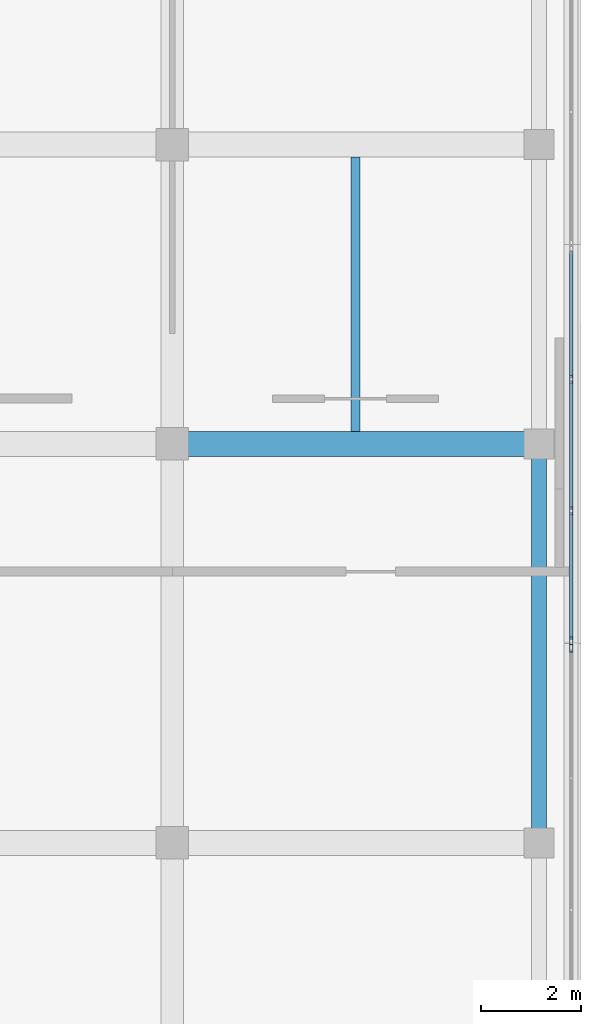
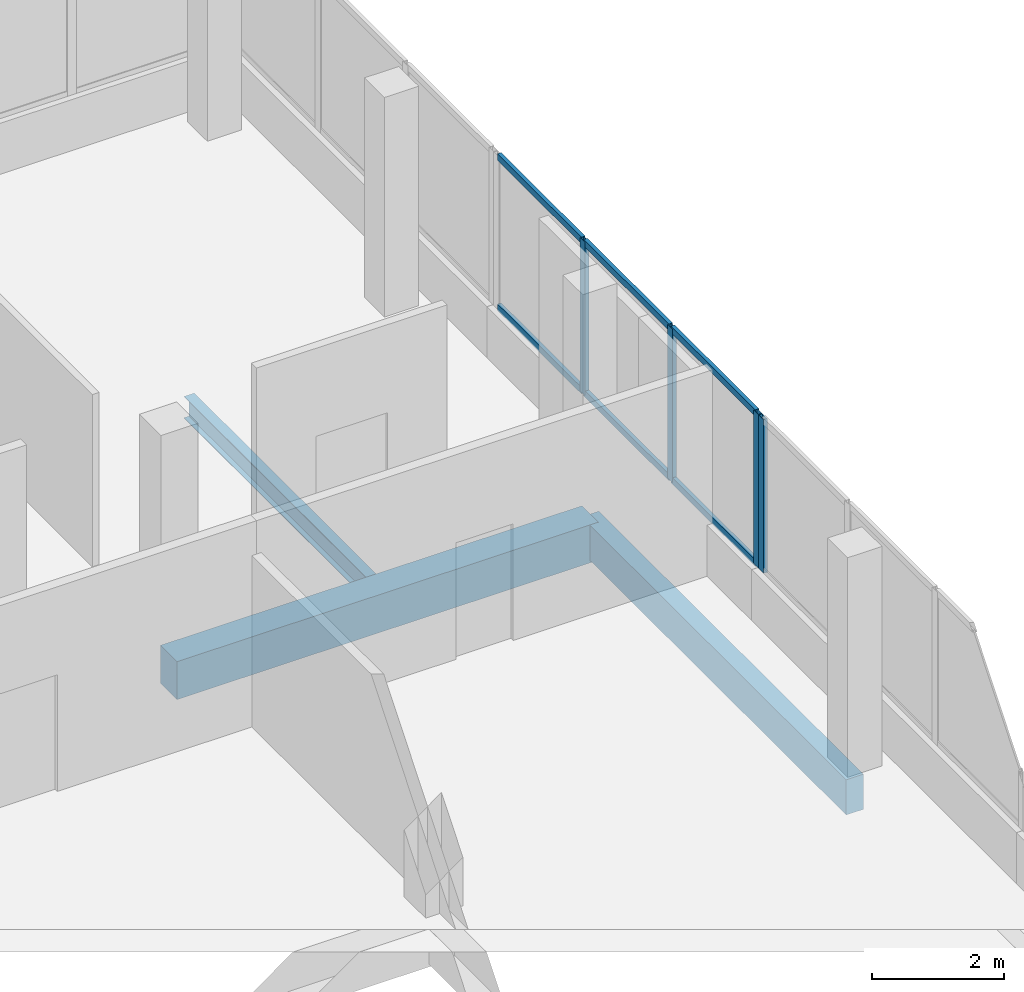
# One storey, part 57 of 78: 10 members, 3 beams, 2 elements without a shape of their own.
"""IFC4 building model written with IfcOpenShell, lengths in metres."""

from ifc_helpers import new_model, si_unit, direction, frame, origin, origin_2d, place, context, subcontext, project, spatial, rectangle, hollow_rectangle, i_section, extrude, material, material_profile, profile_set, type_object, element, aggregate, save


model = new_model("IFC4")

# Units and contexts
model_context = context("Model", 3, precision=1e-05, world=origin(), true_north=direction((0.0, 1.0)))
body_context = subcontext(model_context, "Body", "Model", "MODEL_VIEW")
ifc_project = project(units=[si_unit("LENGTHUNIT", "METRE"), si_unit("AREAUNIT", "SQUARE_METRE"), si_unit("VOLUMEUNIT", "CUBIC_METRE"), si_unit("PLANEANGLEUNIT", "RADIAN"), si_unit("MASSUNIT", "GRAM", prefix="KILO")], contexts=[model_context])

# Site, building, storey
site_placement = place(None, origin())
site = spatial("IfcSite", under=ifc_project, at=site_placement, CompositionType="ELEMENT")
building_placement = place(site_placement, origin())
building = spatial("IfcBuilding", under=site, at=building_placement, Name="Selatvlak General Hospital", CompositionType="ELEMENT")
storey_placement = place(building_placement, frame((0.0, 0.0, 23.25)))
storey = spatial("IfcBuildingStorey", under=building, at=storey_placement, Name="L05", CompositionType="ELEMENT", Elevation=23.25)

# Beams
ifc_material_1 = material(Name="Concrete C40/50", Category="concrete")
ifc_material_profile_1 = material_profile(ifc_material_1, rectangle(XDim=0.5, YDim=0.699951171875, at=origin_2d()), Name="RC-BM 500x700")
ifc_profile_set_1 = profile_set([ifc_material_profile_1], Name="Concrete C40/50")
beam_type_1 = type_object("IfcBeamType", Name="BM-G03", PredefinedType="BEAM", material=ifc_profile_set_1)
beam_1_placement = place(storey_placement, frame((174.0, 108.0, -0.6298828125), z_axis=(1.0, 0.0, 0.0), x_axis=(0.0, 1.0, 0.0)))
element("IfcBeam", 1, at=beam_1_placement, inside=storey, type_object=beam_type_1, Name="Beam BMR-L05-1959", PredefinedType="BEAM", context=body_context, shape_type="SweptSolid", body=[
    extrude(rectangle(XDim=0.5, YDim=0.699951171875, at=origin_2d()), origin(), (0.0, 0.0, 1.0), 7.35009765625),
])
ifc_material_2 = material(Name="Steel S355", Category="steel")
ifc_material_profile_2 = material_profile(ifc_material_2, i_section(OverallWidth=0.177978515625, OverallDepth=0.406494140625, WebThickness=0.0078125, FlangeThickness=0.0126953125, at=origin_2d()), Name="UB 406x178x60")
ifc_profile_set_2 = profile_set([ifc_material_profile_2], Name="Steel S355")
beam_type_2 = type_object("IfcBeamType", Name="BM-J04", PredefinedType="JOIST", material=ifc_profile_set_2)
beam_2_placement = place(storey_placement, frame((177.675048828125, 108.25, -0.48291015625), z_axis=(0.0, 1.0, 0.0), x_axis=(-1.0, 0.0, 0.0)))
element("IfcBeam", 2, at=beam_2_placement, inside=storey, type_object=beam_type_2, Name="Beam BMR-L05-2131", PredefinedType="JOIST", context=body_context, shape_type="SweptSolid", body=[
    extrude(i_section(OverallWidth=0.177978515625, OverallDepth=0.406494140625, WebThickness=0.0078125, FlangeThickness=0.0126953125, at=origin_2d()), origin(), (0.0, 0.0, 1.0), 5.5),
])
ifc_material_profile_3 = material_profile(ifc_material_1, rectangle(XDim=0.300048828125, YDim=0.64990234375, at=origin_2d()), Name="RC-SP 300x650")
ifc_profile_set_3 = profile_set([ifc_material_profile_3], Name="Concrete C40/50")
beam_type_3 = type_object("IfcBeamType", Name="BM-SP1", PredefinedType="SPANDREL", material=ifc_profile_set_3)
beam_3_placement = place(storey_placement, frame((181.35009765625, 100.0, -0.60498046875), z_axis=(0.0, 1.0, 0.0), x_axis=(-1.0, 0.0, 0.0)))
element("IfcBeam", 3, at=beam_3_placement, inside=storey, type_object=beam_type_3, Name="Beam BMR-L05-2112", PredefinedType="SPANDREL", context=body_context, shape_type="SweptSolid", body=[
    extrude(rectangle(XDim=0.300048828125, YDim=0.64990234375, at=origin_2d()), origin(), (0.0, 0.0, 1.0), 8.0),
])

# Curtain wall, members
ifc_material_3 = material(Name="Solar-control Low-E double glazing", Category="glass")
curtain_wall_type_1 = type_object("IfcCurtainWallType", Name="CW-CW-02", PredefinedType="USERDEFINED", material=ifc_material_3)
curtain_wall_1_placement = place(storey_placement, origin())
curtain_wall_1 = element("IfcCurtainWall", 4, at=curtain_wall_1_placement, inside=storey, type_object=curtain_wall_type_1, Name="Glazed facade curtain wall CW-L05-0567", ObjectType="UNITISED CURTAIN WALL", PredefinedType="USERDEFINED")
ifc_material_4 = material(Name="Dark anodised aluminium mullion", Category="aluminium")
ifc_material_profile_4 = material_profile(ifc_material_4, hollow_rectangle(XDim=0.06494140625, YDim=0.159912109375, WallThickness=0.00390625, at=origin_2d()), Name="AL-MUL 65x160x4")
ifc_profile_set_4 = profile_set([ifc_material_profile_4], Name="Dark anodised aluminium mullion")
member_type_1 = type_object("IfcMemberType", Name="CWM-01", PredefinedType="MULLION", material=ifc_profile_set_4)
member_1_placement = place(storey_placement, frame((181.999267578125, 109.29541015625, 0.93994140625), z_axis=(0.0, 0.0, 1.0), x_axis=(0.999999992027, 0.000126278568, 0.0)))
member_1 = element("IfcMember", 5, at=member_1_placement, type_object=member_type_1, Name="CW-02 mullion 2", PredefinedType="MULLION", context=body_context, shape_type="SweptSolid", body=[
    extrude(hollow_rectangle(XDim=0.06494140625, YDim=0.159912109375, WallThickness=0.00390625, at=origin_2d()), origin(), (0.0, 0.0, 1.0), 2.8349609375),
])
member_2_placement = place(storey_placement, frame((181.999755859375, 106.65576171875, 0.93994140625), z_axis=(0.0, 0.0, 1.0), x_axis=(0.999999992027, 0.000126278568, 0.0)))
member_2 = element("IfcMember", 6, at=member_2_placement, type_object=member_type_1, Name="CW-02 mullion 3", PredefinedType="MULLION", context=body_context, shape_type="SweptSolid", body=[
    extrude(hollow_rectangle(XDim=0.06494140625, YDim=0.159912109375, WallThickness=0.00390625, at=origin_2d()), origin(), (0.0, 0.0, 1.0), 2.8349609375),
])
member_3_placement = place(storey_placement, frame((182.0, 104.048583984375, 0.93994140625), z_axis=(0.0, 0.0, 1.0), x_axis=(0.999999992027, 0.000126278568, 0.0)))
member_3 = element("IfcMember", 7, at=member_3_placement, type_object=member_type_1, Name="CW-02 mullion 4", PredefinedType="MULLION", context=body_context, shape_type="SweptSolid", body=[
    extrude(hollow_rectangle(XDim=0.06494140625, YDim=0.159912109375, WallThickness=0.00390625, at=origin_2d()), origin(), (0.0, 0.0, 1.0), 2.8349609375),
])

# Curtain wall, member
curtain_wall_type_2 = type_object("IfcCurtainWallType", Name="CW-CW-01", PredefinedType="USERDEFINED", material=ifc_material_3)
curtain_wall_2_placement = place(storey_placement, origin())
curtain_wall_2 = element("IfcCurtainWall", 8, at=curtain_wall_2_placement, inside=storey, type_object=curtain_wall_type_2, Name="Glazed facade curtain wall CW-L05-0568", ObjectType="UNITISED CURTAIN WALL", PredefinedType="USERDEFINED")
member_4_placement = place(storey_placement, frame((182.0, 103.903564453125, 0.93994140625), z_axis=(0.0, 0.0, 1.0), x_axis=(1.0, 0.0, 0.0)))
member_4 = element("IfcMember", 9, at=member_4_placement, type_object=member_type_1, Name="CW-01 mullion 1", PredefinedType="MULLION", context=body_context, shape_type="SweptSolid", body=[
    extrude(hollow_rectangle(XDim=0.06494140625, YDim=0.159912109375, WallThickness=0.00390625, at=origin_2d()), origin(), (0.0, 0.0, 1.0), 2.8349609375),
])
aggregate(curtain_wall_2, [member_4])

# Member
ifc_material_profile_5 = material_profile(ifc_material_4, hollow_rectangle(XDim=0.06494140625, YDim=0.1201171875, WallThickness=0.00390625, at=origin_2d()), Name="AL-TRN 65x120x4")
ifc_profile_set_5 = profile_set([ifc_material_profile_5], Name="Dark anodised aluminium mullion")
member_type_2 = type_object("IfcMemberType", Name="CWT-01", PredefinedType="USERDEFINED", material=ifc_profile_set_5)
member_5_placement = place(storey_placement, frame((181.9990234375, 111.8701171875, 0.972412109375), z_axis=(9.6033803e-05, -0.999999995389, 0.0), x_axis=(0.999999995389, 9.6033803e-05, 0.0)))
member_5 = element("IfcMember", 10, at=member_5_placement, type_object=member_type_2, Name="CW-02 transom 1.1", ObjectType="TRANSOM", PredefinedType="USERDEFINED", context=body_context, shape_type="SweptSolid", body=[
    extrude(hollow_rectangle(XDim=0.06494140625, YDim=0.1201171875, WallThickness=0.00390625, at=origin_2d()), origin(), (0.0, 0.0, 1.0), 2.542236328125),
])

member_6_placement = place(storey_placement, frame((181.9990234375, 111.8701171875, 3.742431640625), z_axis=(9.6033803e-05, -0.999999995389, 0.0), x_axis=(0.999999995389, 9.6033803e-05, 0.0)))
member_6 = element("IfcMember", 11, at=member_6_placement, type_object=member_type_2, Name="CW-02 transom 1.2", ObjectType="TRANSOM", PredefinedType="USERDEFINED", context=body_context, shape_type="SweptSolid", body=[
    extrude(hollow_rectangle(XDim=0.06494140625, YDim=0.1201171875, WallThickness=0.00390625, at=origin_2d()), origin(), (0.0, 0.0, 1.0), 2.542236328125),
])

member_7_placement = place(storey_placement, frame((181.999267578125, 109.262939453125, 0.972412109375), z_axis=(0.00018964536, -0.999999982017, 0.0), x_axis=(0.999999982017, 0.00018964536, 0.0)))
member_7 = element("IfcMember", 12, at=member_7_placement, type_object=member_type_2, Name="CW-02 transom 2.1", ObjectType="TRANSOM", PredefinedType="USERDEFINED", context=body_context, shape_type="SweptSolid", body=[
    extrude(hollow_rectangle(XDim=0.06494140625, YDim=0.1201171875, WallThickness=0.00390625, at=origin_2d()), origin(), (0.0, 0.0, 1.0), 2.57470703125),
])

member_8_placement = place(storey_placement, frame((181.999267578125, 109.262939453125, 3.742431640625), z_axis=(0.00018964536, -0.999999982017, 0.0), x_axis=(0.999999982017, 0.00018964536, 0.0)))
member_8 = element("IfcMember", 13, at=member_8_placement, type_object=member_type_2, Name="CW-02 transom 2.2", ObjectType="TRANSOM", PredefinedType="USERDEFINED", context=body_context, shape_type="SweptSolid", body=[
    extrude(hollow_rectangle(XDim=0.06494140625, YDim=0.1201171875, WallThickness=0.00390625, at=origin_2d()), origin(), (0.0, 0.0, 1.0), 2.57470703125),
])

member_9_placement = place(storey_placement, frame((181.999755859375, 106.623046875, 0.972412109375), z_axis=(9.6043027e-05, -0.999999995388, 0.0), x_axis=(0.999999995388, 9.6043027e-05, 0.0)))
member_9 = element("IfcMember", 14, at=member_9_placement, type_object=member_type_2, Name="CW-02 transom 3.1", ObjectType="TRANSOM", PredefinedType="USERDEFINED", context=body_context, shape_type="SweptSolid", body=[
    extrude(hollow_rectangle(XDim=0.06494140625, YDim=0.1201171875, WallThickness=0.00390625, at=origin_2d()), origin(), (0.0, 0.0, 1.0), 2.5419921875),
])

member_10_placement = place(storey_placement, frame((181.999755859375, 106.623046875, 3.742431640625), z_axis=(9.6043027e-05, -0.999999995388, 0.0), x_axis=(0.999999995388, 9.6043027e-05, 0.0)))
member_10 = element("IfcMember", 15, at=member_10_placement, type_object=member_type_2, Name="CW-02 transom 3.2", ObjectType="TRANSOM", PredefinedType="USERDEFINED", context=body_context, shape_type="SweptSolid", body=[
    extrude(hollow_rectangle(XDim=0.06494140625, YDim=0.1201171875, WallThickness=0.00390625, at=origin_2d()), origin(), (0.0, 0.0, 1.0), 2.5419921875),
])

aggregate(curtain_wall_1, [member_1, member_2, member_3, member_5, member_6, member_7, member_8, member_9, member_10])

save(model, "model.ifc")
